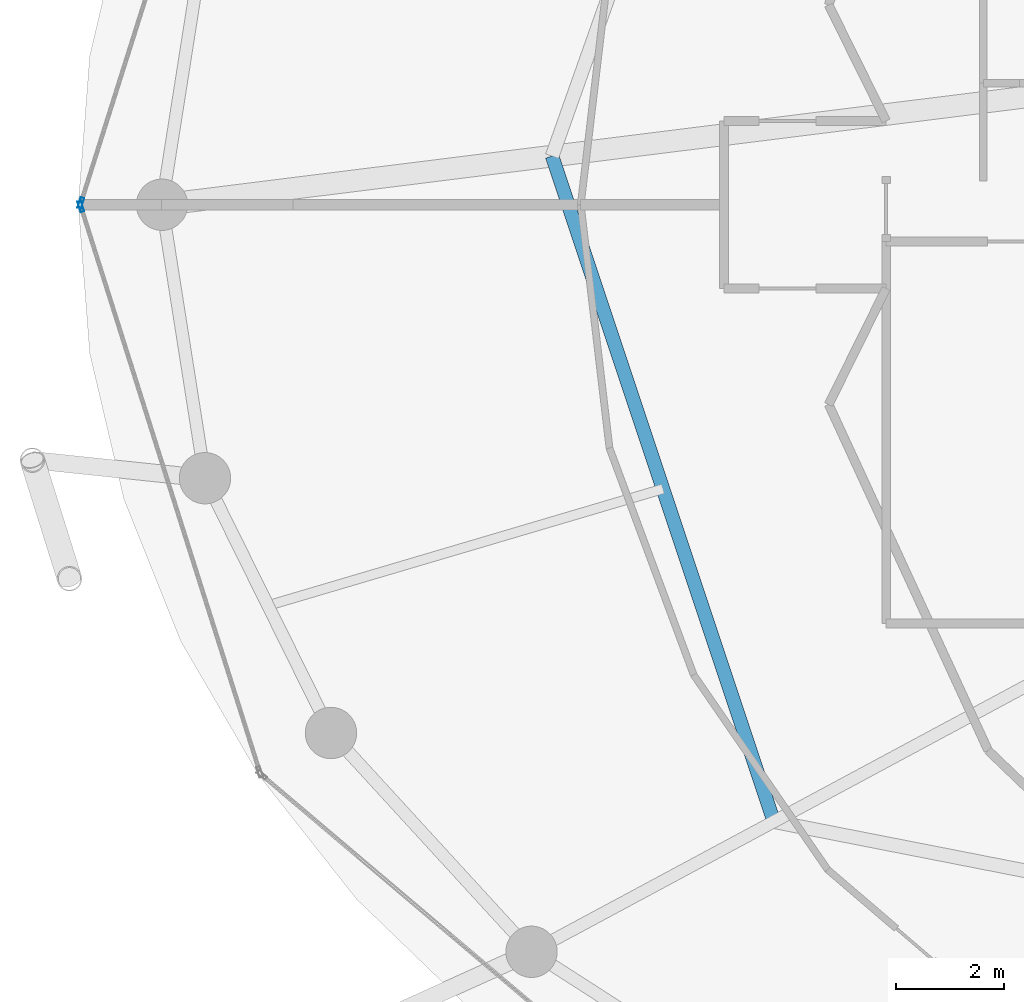
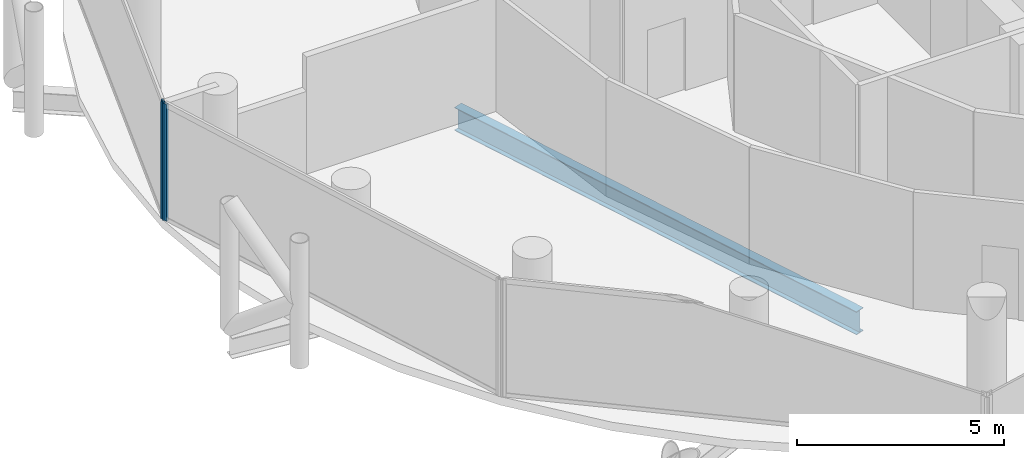
# One storey, part 6 of 26: 2 members, 1 beam, 2 elements without a shape of their own.
"""IFC4 building model written with IfcOpenShell, lengths in metres."""

from ifc_helpers import new_model, si_unit, direction, frame, origin, origin_2d, place, context, subcontext, project, spatial, hollow_rectangle, i_section, extrude, material, layer, layer_set, material_profile, profile_set, type_object, element, aggregate, save


model = new_model("IFC4")

# Units and contexts
model_context = context("Model", 3, precision=1e-05, world=origin(), true_north=direction((0.0, 1.0)))
body_context = subcontext(model_context, "Body", "Model", "MODEL_VIEW")
ifc_project = project(units=[si_unit("LENGTHUNIT", "METRE"), si_unit("AREAUNIT", "SQUARE_METRE"), si_unit("VOLUMEUNIT", "CUBIC_METRE"), si_unit("PLANEANGLEUNIT", "RADIAN"), si_unit("MASSUNIT", "GRAM", prefix="KILO")], contexts=[model_context])

# Site, building, storey
site_placement = place(None, origin())
site = spatial("IfcSite", under=ifc_project, at=site_placement, CompositionType="ELEMENT")
building_placement = place(site_placement, origin())
building = spatial("IfcBuilding", under=site, at=building_placement, Name="Nuhasar Tower", CompositionType="ELEMENT")
storey_placement = place(building_placement, frame((0.0, 0.0, 121.949951171875)))
storey = spatial("IfcBuildingStorey", under=building, at=storey_placement, Name="L28", CompositionType="ELEMENT", Elevation=121.949951171875)

# Beam
ifc_material_1 = material(Name="Steel S355", Category="steel")
ifc_material_profile_1 = material_profile(ifc_material_1, i_section(OverallWidth=0.25390625, OverallDepth=0.68408203125, WebThickness=0.012451171875, FlangeThickness=0.018798828125, at=origin_2d()), Name="W27X94")
ifc_profile_set_1 = profile_set([ifc_material_profile_1], Name="Steel S355")
beam_type = type_object("IfcBeamType", Name="BM-INRING-W27X94", PredefinedType="BEAM", material=ifc_profile_set_1)
beam_placement = place(storey_placement, frame((22.8701171875, 27.699951171875, -0.592041015625), z_axis=(0.31609797573, -0.948726551615, 0.0), x_axis=(0.948726551615, 0.31609797573, 0.0)))
element("IfcBeam", 1, at=beam_placement, inside=storey, type_object=beam_type, Name="L28 Inner Header Beam 08", PredefinedType="BEAM", context=body_context, shape_type="SweptSolid", body=[
    extrude(i_section(OverallWidth=0.25390625, OverallDepth=0.68408203125, WebThickness=0.012451171875, FlangeThickness=0.018798828125, at=origin_2d()), origin(), (0.0, 0.0, 1.0), 12.9794921875),
])

# Curtain wall, member
ifc_material_2 = material(Name="Aluminium 6063-T6", Category="aluminium")
ifc_layer = layer(ifc_material_2, 0.199951171875)
ifc_layer_set = layer_set([ifc_layer], Name="Aluminium 6063-T6")
curtain_wall_type = type_object("IfcCurtainWallType", Name="CW-Z2-HTL", PredefinedType="NOTDEFINED", material=ifc_layer_set)
curtain_wall_1_placement = place(storey_placement, origin())
curtain_wall_1 = element("IfcCurtainWall", 2, at=curtain_wall_1_placement, inside=storey, type_object=curtain_wall_type, Name="L28 Unitised Curtain Wall 06", PredefinedType="NOTDEFINED")
ifc_material_profile_2 = material_profile(ifc_material_2, hollow_rectangle(XDim=0.070068359375, YDim=0.199951171875, WallThickness=0.0048828125, at=origin_2d()), Name="CWM-3")
ifc_profile_set_2 = profile_set([ifc_material_profile_2], Name="Aluminium 6063-T6")
member_type = type_object("IfcMemberType", Name="CW-MUL-S3", PredefinedType="MULLION", material=ifc_profile_set_2)
member_1_placement = place(storey_placement, frame((14.150634765625, 26.833251953125, 0.0), z_axis=(0.0, 0.0, 1.0), x_axis=(0.953433389233, -0.301603667577, 0.0)))
member_1 = element("IfcMember", 3, at=member_1_placement, type_object=member_type, Name="CW-Z2 mullion 2", PredefinedType="MULLION", context=body_context, shape_type="SweptSolid", body=[
    extrude(hollow_rectangle(XDim=0.070068359375, YDim=0.199951171875, WallThickness=0.0048828125, at=origin_2d()), origin(), (0.0, 0.0, 1.0), 3.449951171875),
])
aggregate(curtain_wall_1, [member_1])

curtain_wall_2_placement = place(storey_placement, origin())
curtain_wall_2 = element("IfcCurtainWall", 4, at=curtain_wall_2_placement, inside=storey, type_object=curtain_wall_type, Name="L28 Unitised Curtain Wall 07", PredefinedType="NOTDEFINED")
member_2_placement = place(storey_placement, frame((14.150634765625, 26.7666015625, 0.0), z_axis=(0.0, 0.0, 1.0), x_axis=(0.953433389233, 0.301603667577, 0.0)))
member_2 = element("IfcMember", 5, at=member_2_placement, type_object=member_type, Name="CW-Z2 mullion 1", PredefinedType="MULLION", context=body_context, shape_type="SweptSolid", body=[
    extrude(hollow_rectangle(XDim=0.070068359375, YDim=0.199951171875, WallThickness=0.0048828125, at=origin_2d()), origin(), (0.0, 0.0, 1.0), 3.449951171875),
])
aggregate(curtain_wall_2, [member_2])

save(model, "model.ifc")
